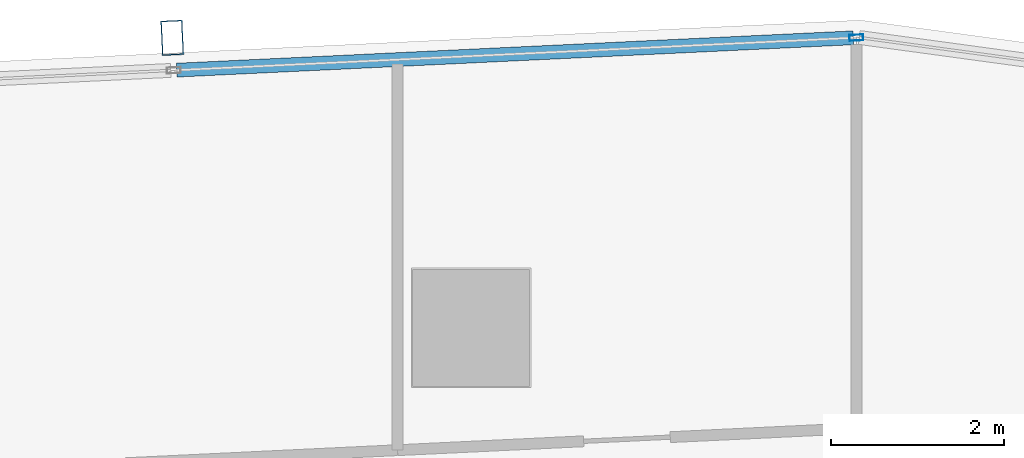
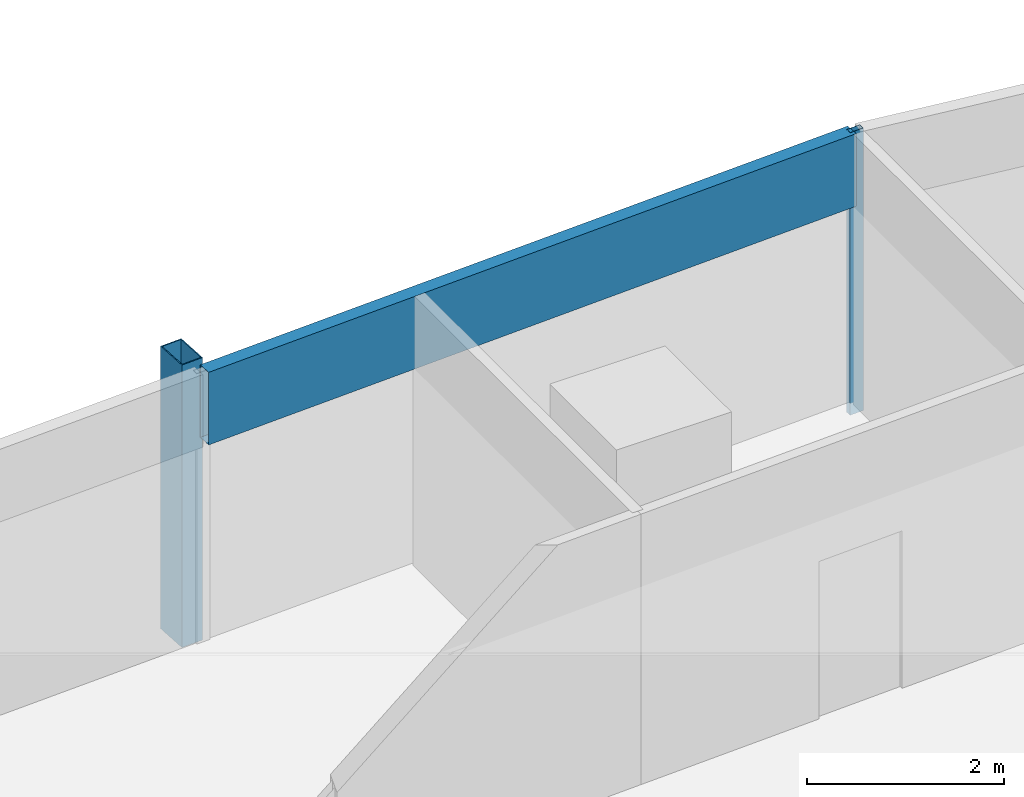
# One storey, part 25 of 39: 3 members, 1 element without a shape of its own.
"""IFC4 building model written with IfcOpenShell, lengths in metres."""

import ifcopenshell
import ifcopenshell.guid

model = None  # the IFC model being written
_history = None  # IfcOwnerHistory: only IFC2X3 demands one
_inside = {}  # id of a spatial element -> (the spatial element, [elements in it])
_under = {}  # id of a project, library or spatial element -> (it, [spatial elements below it])
_declared = {}  # id of a project -> (the project, [libraries it declares])
_typed = {}  # id of a type object -> (the type object, [elements of that type])
_made_of = {}  # id of a material, layer set ... -> (it, [elements and type objects made of it])


def new_model(schema):
    """Start an empty IFC model of exactly this schema.

    Asked for "IFC4X3", IfcOpenShell would pick the latest addendum, in which some entities
    have other attributes; the version numbers below select the first issue.
    IFC2X3 requires an IfcOwnerHistory on every rooted entity: one is made here for all.
    """
    global model, _history
    if schema == "IFC4X3":
        model = ifcopenshell.file(schema_version=(4, 3, 0, 0))
    else:
        model = ifcopenshell.file(schema=schema)
    _inside.clear()
    _under.clear()
    _declared.clear()
    _typed.clear()
    _made_of.clear()
    _history = None
    if model.schema == "IFC2X3":
        org = make("IfcOrganization", Name="unknown")
        user = make(
            "IfcPersonAndOrganization",
            ThePerson=make("IfcPerson", FamilyName="unknown"),
            TheOrganization=org,
        )
        app = make(
            "IfcApplication",
            ApplicationDeveloper=org,
            Version="unknown",
            ApplicationFullName="unknown",
            ApplicationIdentifier="unknown",
        )
        _history = make(
            "IfcOwnerHistory",
            OwningUser=user,
            OwningApplication=app,
            ChangeAction="ADDED",
            CreationDate=0,
        )
    return model


def make(cls, **values):
    """One entity of the class cls with the attributes given. An attribute that is None is left unset."""
    return model.create_entity(
        cls, **{name: value for name, value in values.items() if value is not None}
    )


def rooted(cls, **values):
    """An entity with a GlobalId (a new one), such as an element, a storey or a relation."""
    return make(cls, GlobalId=ifcopenshell.guid.new(), OwnerHistory=_history, **values)


def si_unit(unit_type, name, prefix=None):
    """IfcSIUnit, for example si_unit("LENGTHUNIT", "METRE", prefix="MILLI")."""
    return make("IfcSIUnit", UnitType=unit_type, Prefix=prefix, Name=name)


def assignment(units):
    """IfcUnitAssignment: the units of a project."""
    return None if units is None else make("IfcUnitAssignment", Units=units)


def point(xyz):
    """IfcCartesianPoint."""
    return None if xyz is None else make("IfcCartesianPoint", Coordinates=xyz)


def direction(xyz):
    """IfcDirection."""
    return None if xyz is None else make("IfcDirection", DirectionRatios=xyz)


def frame(location, z_axis=None, x_axis=None):
    """IfcAxis2Placement3D, a coordinate frame: its origin and axes. An axis left out is left unset."""
    return make(
        "IfcAxis2Placement3D",
        Location=point(location),
        Axis=direction(z_axis),
        RefDirection=direction(x_axis),
    )


def frame_2d(location, x_axis=None):
    """IfcAxis2Placement2D, a coordinate frame in the plane: its origin and x axis."""
    return make(
        "IfcAxis2Placement2D", Location=point(location), RefDirection=direction(x_axis)
    )


def origin():
    """The frame at (0, 0, 0) with its axes left unset."""
    return frame((0.0, 0.0, 0.0))


def origin_2d():
    """The frame at (0, 0) in the plane with its x axis left unset."""
    return frame_2d((0.0, 0.0))


def place(relative_to, where):
    """IfcLocalPlacement: puts the frame where relative to a parent placement (None: the world)."""
    return make(
        "IfcLocalPlacement", PlacementRelTo=relative_to, RelativePlacement=where
    )


def context(
    kind, dimensions, precision=None, world=None, true_north=None, identifier=None
):
    """IfcGeometricRepresentationContext, for example the 3D "Model" context."""
    return make(
        "IfcGeometricRepresentationContext",
        ContextIdentifier=identifier,
        ContextType=kind,
        CoordinateSpaceDimension=dimensions,
        Precision=precision,
        WorldCoordinateSystem=world,
        TrueNorth=true_north,
    )


def subcontext(parent, identifier, kind, view, scale=None):
    """IfcGeometricRepresentationSubContext, for example "Body" below "Model"."""
    return make(
        "IfcGeometricRepresentationSubContext",
        ContextIdentifier=identifier,
        ContextType=kind,
        ParentContext=parent,
        TargetScale=scale,
        TargetView=view,
    )


def project(units=None, contexts=None):
    """IfcProject with its units and contexts."""
    return rooted(
        "IfcProject",
        Name="project",
        RepresentationContexts=contexts,
        UnitsInContext=assignment(units),
    )


def spatial(cls, under=None, at=None, **own):
    """A site, building, storey or space (cls), placed at a placement, below another one or the project."""
    s = rooted(cls, ObjectPlacement=at, **own)
    if under is not None:
        _under.setdefault(under.id(), (under, []))[1].append(s)
    return s


def profile(cls, at=None, kind="AREA", **sizes):
    """A parametric profile (cls). Its sizes go by their IFC names, for example OverallWidth=200.0."""
    return make(cls, ProfileType=kind, Position=at, **sizes)


def hollow_rectangle(**sizes):
    """IfcRectangleHollowProfileDef."""
    return profile("IfcRectangleHollowProfileDef", **sizes)


def extrude(swept, where, along, depth):
    """IfcExtrudedAreaSolid: the profile swept, set in the frame where, extruded along a direction by depth."""
    return make(
        "IfcExtrudedAreaSolid",
        SweptArea=swept,
        Position=where,
        ExtrudedDirection=direction(along),
        Depth=depth,
    )


def shape(context_of_items, identifier, shape_type, items):
    """IfcShapeRepresentation: the items that make up one representation, for example the "Body"."""
    return make(
        "IfcShapeRepresentation",
        ContextOfItems=context_of_items,
        RepresentationIdentifier=identifier,
        RepresentationType=shape_type,
        Items=items,
    )


def material(Name=None, Category=None):
    """IfcMaterial."""
    return make("IfcMaterial", Name=Name, Category=Category)


def material_profile(
    of_material, cross_section, Name=None, Category=None, Priority=None
):
    """IfcMaterialProfile: a cross section and its material."""
    return make(
        "IfcMaterialProfile",
        Name=Name,
        Material=of_material,
        Profile=cross_section,
        Priority=Priority,
        Category=Category,
    )


def profile_set(profiles, Name=None, composite=None):
    """IfcMaterialProfileSet."""
    return make(
        "IfcMaterialProfileSet",
        Name=Name,
        MaterialProfiles=profiles,
        CompositeProfile=composite,
    )


def made_of(thing, what):
    """Note that an element or type object is made of a material, layer set ...; save() writes the relation."""
    if what is not None:
        _made_of.setdefault(what.id(), (what, []))[1].append(thing)
    return thing


def type_object(cls, material=None, **own):
    """A type object (cls), such as IfcWallType, which elements share."""
    return made_of(rooted(cls, **own), material)


def element(
    cls,
    number,
    at=None,
    inside=None,
    cuts=None,
    type_object=None,
    material=None,
    context=None,
    identifier="Body",
    shape_type=None,
    held_by="IfcProductDefinitionShape",
    body=None,
    shapes=None,
    **own,
):
    """One element of the class cls, such as IfcWall. Its Tag is "e" and its number.

    at: its placement. inside: the storey or other place that contains it. cuts: it is an
    opening in that element (IfcRelVoidsElement). A single representation is given by context,
    identifier, shape_type and body (its items); several are given by shapes. held_by: the class
    of the entity that holds the representations. save() writes the other relations.
    """
    e = rooted(cls, Tag="e%d" % number, ObjectPlacement=at, **own)
    if body is not None:
        shapes = [shape(context, identifier, shape_type, body)]
    if shapes is not None:
        e.Representation = make(held_by, Representations=shapes)
    if inside is not None:
        _inside.setdefault(inside.id(), (inside, []))[1].append(e)
    if cuts is not None:
        rooted(
            "IfcRelVoidsElement", RelatingBuildingElement=cuts, RelatedOpeningElement=e
        )
    if type_object is not None:
        _typed.setdefault(type_object.id(), (type_object, []))[1].append(e)
    return made_of(e, material)


def aggregate(whole, parts):
    """IfcRelAggregates: a whole, such as a stair, and the parts it consists of."""
    return rooted("IfcRelAggregates", RelatingObject=whole, RelatedObjects=parts)


def save(model, path):
    """Write the relations noted so far, then the file.

    IfcRelAggregates (storeys below a building ...), IfcRelContainedInSpatialStructure (elements
    in a storey), IfcRelDefinesByType, IfcRelAssociatesMaterial and IfcRelDeclares: one each for
    every whole, place, type object, material and project.
    """
    for whole, parts in _under.values():
        aggregate(whole, parts)
    for where, things in _inside.values():
        rooted(
            "IfcRelContainedInSpatialStructure",
            RelatedElements=things,
            RelatingStructure=where,
        )
    for kind, things in _typed.values():
        rooted("IfcRelDefinesByType", RelatedObjects=things, RelatingType=kind)
    for what, things in _made_of.values():
        rooted("IfcRelAssociatesMaterial", RelatedObjects=things, RelatingMaterial=what)
    for by, libraries in _declared.values():
        rooted("IfcRelDeclares", RelatingContext=by, RelatedDefinitions=libraries)
    model.write(path)


model = new_model("IFC4")

# Units and contexts
model_context = context("Model", 3, precision=1e-05, world=origin(), true_north=direction((0.0, 1.0)))
body_context = subcontext(model_context, "Body", "Model", "MODEL_VIEW")
ifc_project = project(units=[si_unit("LENGTHUNIT", "METRE"), si_unit("AREAUNIT", "SQUARE_METRE"), si_unit("VOLUMEUNIT", "CUBIC_METRE"), si_unit("PLANEANGLEUNIT", "RADIAN"), si_unit("MASSUNIT", "GRAM", prefix="KILO")], contexts=[model_context])

# Site, building, storey
site_placement = place(None, origin())
site = spatial("IfcSite", under=ifc_project, at=site_placement, CompositionType="ELEMENT")
building_placement = place(site_placement, origin())
building = spatial("IfcBuilding", under=site, at=building_placement, Name="Rekha Terrace Tower", CompositionType="ELEMENT")
storey_placement = place(building_placement, frame((0.0, 0.0, 187.699951171875)))
storey = spatial("IfcBuildingStorey", under=building, at=storey_placement, Name="L47", CompositionType="ELEMENT", Elevation=187.699951171875)

# Curtain wall, members
ifc_material_1 = material(Name="Aluminium framing", Category="aluminium")
curtain_wall_type = type_object("IfcCurtainWallType", Name="CW3 north unitised glazing", PredefinedType="USERDEFINED", material=ifc_material_1)
curtain_wall_placement = place(storey_placement, origin())
curtain_wall = element("IfcCurtainWall", 1, at=curtain_wall_placement, inside=storey, type_object=curtain_wall_type, Name="CW3 unitised curtain wall", ObjectType="UNITISED CURTAIN WALL", PredefinedType="USERDEFINED")
ifc_material_2 = material(Name="Steel S355 with fluorocarbon finish", Category="steel")
ifc_material_profile_1 = material_profile(ifc_material_2, hollow_rectangle(XDim=0.25, YDim=0.39990234375, WallThickness=0.012451171875, at=origin_2d()), Name="RHS400x250x12.5")
ifc_profile_set_1 = profile_set([ifc_material_profile_1], Name="Steel S355 with fluorocarbon finish")
member_type_1 = type_object("IfcMemberType", Name="BL1 facade blade RHS 400 x 250", PredefinedType="USERDEFINED", material=ifc_profile_set_1)
member_1_placement = place(storey_placement, frame((38.55224609375, 62.145751953125, 0.0), z_axis=(0.0, 0.0, 1.0), x_axis=(-0.998858913274, -0.04775846913, 0.0)))
member_1 = element("IfcMember", 2, at=member_1_placement, type_object=member_type_1, Name="Facade blade", ObjectType="FACADE BLADE", PredefinedType="USERDEFINED", context=body_context, shape_type="SweptSolid", body=[
    extrude(hollow_rectangle(XDim=0.25, YDim=0.39990234375, WallThickness=0.012451171875, at=origin_2d()), origin(), (0.0, 0.0, 1.0), 3.5),
])
ifc_material_3 = material(Name="Aluminium mullion section", Category="aluminium")
ifc_material_profile_2 = material_profile(ifc_material_3, hollow_rectangle(XDim=0.070068359375, YDim=0.159912109375, WallThickness=0.00390625, at=origin_2d()), Name="AL RHS 70x160")
ifc_profile_set_2 = profile_set([ifc_material_profile_2], Name="Aluminium mullion section")
member_type_2 = type_object("IfcMemberType", Name="CW3 mullion RHS 70 x 160", PredefinedType="MULLION", material=ifc_profile_set_2)
member_2_placement = place(storey_placement, frame((46.4443359375, 62.147705078125, 0.0), z_axis=(0.0, 0.0, 1.0), x_axis=(0.047758616983, -0.998858906204, 0.0)))
member_2 = element("IfcMember", 3, at=member_2_placement, type_object=member_type_2, Name="CW3 mullion 1", PredefinedType="MULLION", context=body_context, shape_type="SweptSolid", body=[
    extrude(hollow_rectangle(XDim=0.070068359375, YDim=0.159912109375, WallThickness=0.00390625, at=origin_2d()), origin(), (0.0, 0.0, 1.0), 3.5),
])
ifc_material_4 = material(Name="Insulated aluminium spandrel box", Category="aluminium")
ifc_material_profile_3 = material_profile(ifc_material_4, hollow_rectangle(XDim=0.159912109375, YDim=0.89990234375, WallThickness=0.0029296875, at=origin_2d()), Name="AL SPANDREL BOX 160x900")
ifc_profile_set_3 = profile_set([ifc_material_profile_3], Name="Insulated aluminium spandrel box")
member_type_3 = type_object("IfcMemberType", Name="CW3 spandrel transom 160 x 900", PredefinedType="USERDEFINED", material=ifc_profile_set_3)
member_3_placement = place(storey_placement, frame((46.4091796875, 62.14599609375, 3.050048828125), z_axis=(-0.998859425172, -0.047747761666, 0.0), x_axis=(0.047747761666, -0.998859425172, 0.0)))
member_3 = element("IfcMember", 4, at=member_3_placement, type_object=member_type_3, Name="CW3 spandrel transom 1", ObjectType="TRANSOM", PredefinedType="USERDEFINED", context=body_context, shape_type="SweptSolid", body=[
    extrude(hollow_rectangle(XDim=0.159912109375, YDim=0.89990234375, WallThickness=0.0029296875, at=origin_2d()), origin(), (0.0, 0.0, 1.0), 7.81298828125),
])
aggregate(curtain_wall, [member_2, member_3, member_1])

save(model, "model.ifc")
